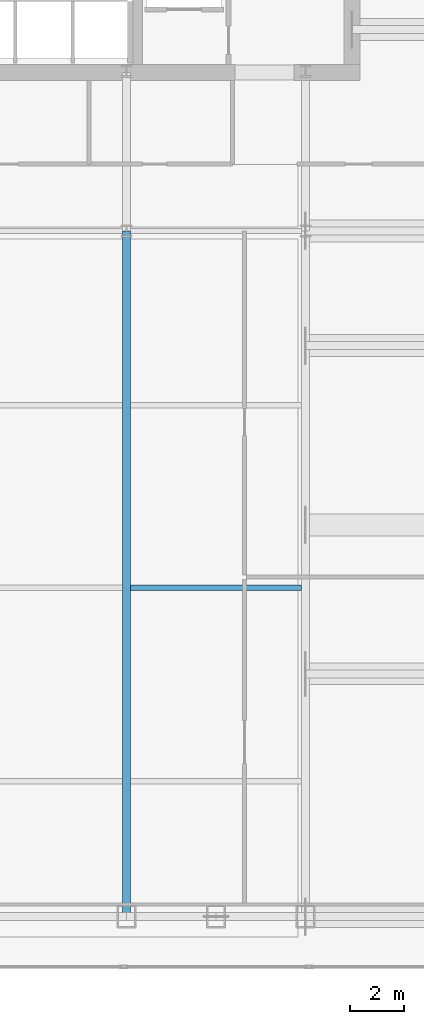
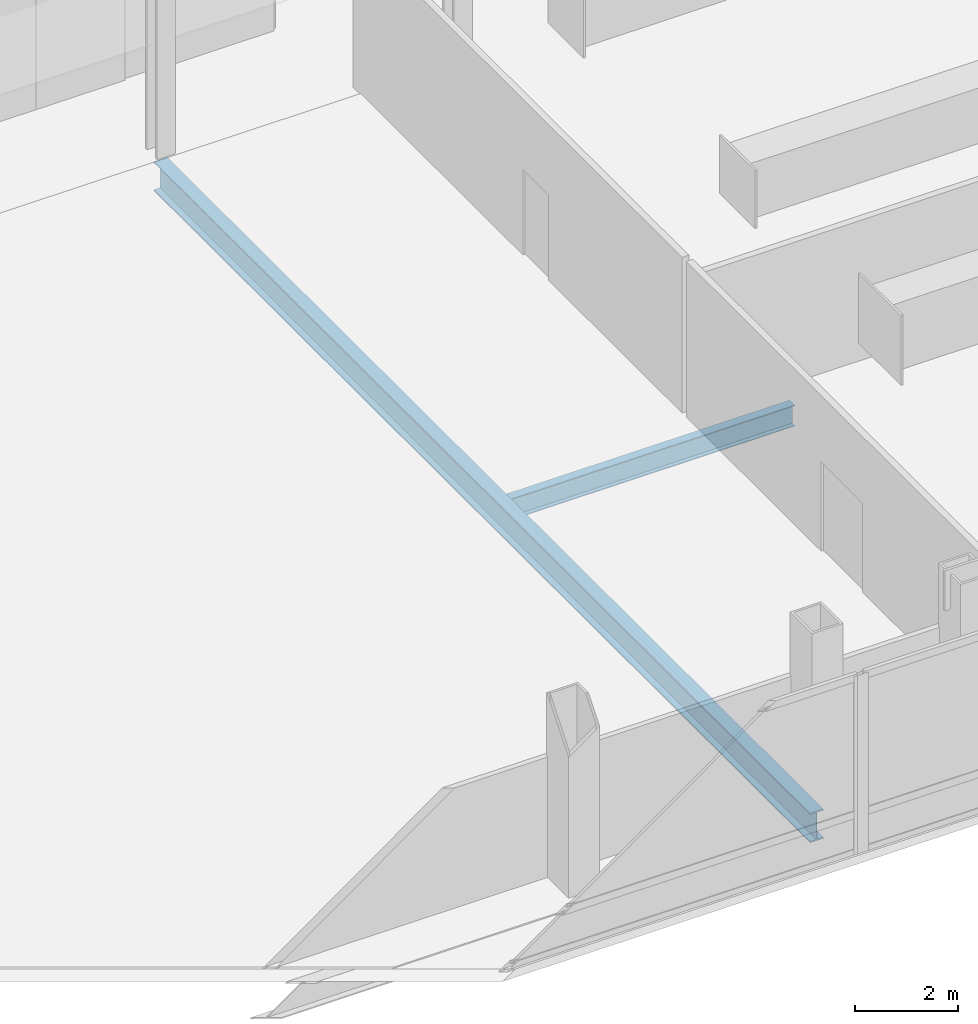
# One storey, part 12 of 25: 2 beams.
"""IFC4 building model written with IfcOpenShell, lengths in metres."""

from ifc_helpers import new_model, si_unit, direction, frame, origin, origin_2d, place, context, subcontext, project, spatial, i_section, extrude, material, material_profile, profile_set, type_object, element, save


model = new_model("IFC4")

# Units and contexts
model_context = context("Model", 3, precision=1e-05, world=origin(), true_north=direction((0.0, 1.0)))
body_context = subcontext(model_context, "Body", "Model", "MODEL_VIEW")
ifc_project = project(units=[si_unit("LENGTHUNIT", "METRE"), si_unit("AREAUNIT", "SQUARE_METRE"), si_unit("VOLUMEUNIT", "CUBIC_METRE"), si_unit("PLANEANGLEUNIT", "RADIAN"), si_unit("MASSUNIT", "GRAM", prefix="KILO")], contexts=[model_context])

# Site, building, storey
site_placement = place(None, origin())
site = spatial("IfcSite", under=ifc_project, at=site_placement, CompositionType="ELEMENT")
building_placement = place(site_placement, origin())
building = spatial("IfcBuilding", under=site, at=building_placement, Name="Khoronbel Lancet Exchange", CompositionType="ELEMENT")
storey_placement = place(building_placement, frame((0.0, 0.0, 184.199951171875)))
storey = spatial("IfcBuildingStorey", under=building, at=storey_placement, Name="L46", CompositionType="ELEMENT", Elevation=184.199951171875)

# Beams
ifc_material = material(Name="Steel S355", Category="steel")
ifc_material_profile_1 = material_profile(ifc_material, i_section(OverallWidth=0.300048828125, OverallDepth=0.699951171875, WebThickness=0.01708984375, FlangeThickness=0.031982421875, at=origin_2d()), Name="HEB 700")
ifc_profile_set_1 = profile_set([ifc_material_profile_1], Name="Steel S355")
beam_type_1 = type_object("IfcBeamType", Name="BM-BG3", PredefinedType="BEAM", material=ifc_profile_set_1)
beam_1_placement = place(storey_placement, frame((48.0, 10.14990234375, -0.550048828125), z_axis=(0.0, 1.0, 0.0), x_axis=(-1.0, 0.0, 0.0)))
element("IfcBeam", 1, at=beam_1_placement, inside=storey, type_object=beam_type_1, Name="Level L46 south primary girder GS5", PredefinedType="BEAM", context=body_context, shape_type="SweptSolid", body=[
    extrude(i_section(OverallWidth=0.300048828125, OverallDepth=0.699951171875, WebThickness=0.01708984375, FlangeThickness=0.031982421875, at=origin_2d()), origin(), (0.0, 0.0, 1.0), 25.550048828125),
])
ifc_material_profile_2 = material_profile(ifc_material, i_section(OverallWidth=0.199951171875, OverallDepth=0.5, WebThickness=0.01025390625, FlangeThickness=0.01611328125, at=origin_2d()), Name="IPE 500")
ifc_profile_set_2 = profile_set([ifc_material_profile_2], Name="Steel S355")
beam_type_2 = type_object("IfcBeamType", Name="BM-BJ3", PredefinedType="JOIST", material=ifc_profile_set_2)
beam_2_placement = place(storey_placement, frame((48.14990234375, 22.39990234375, -0.449951171875), z_axis=(1.0, 0.0, 0.0), x_axis=(0.0, 1.0, 0.0)))
element("IfcBeam", 2, at=beam_2_placement, inside=storey, type_object=beam_type_2, Name="Level L46 secondary composite joist J10", PredefinedType="JOIST", context=body_context, shape_type="SweptSolid", body=[
    extrude(i_section(OverallWidth=0.199951171875, OverallDepth=0.5, WebThickness=0.01025390625, FlangeThickness=0.01611328125, at=origin_2d()), origin(), (0.0, 0.0, 1.0), 6.375),
])

save(model, "model.ifc")
